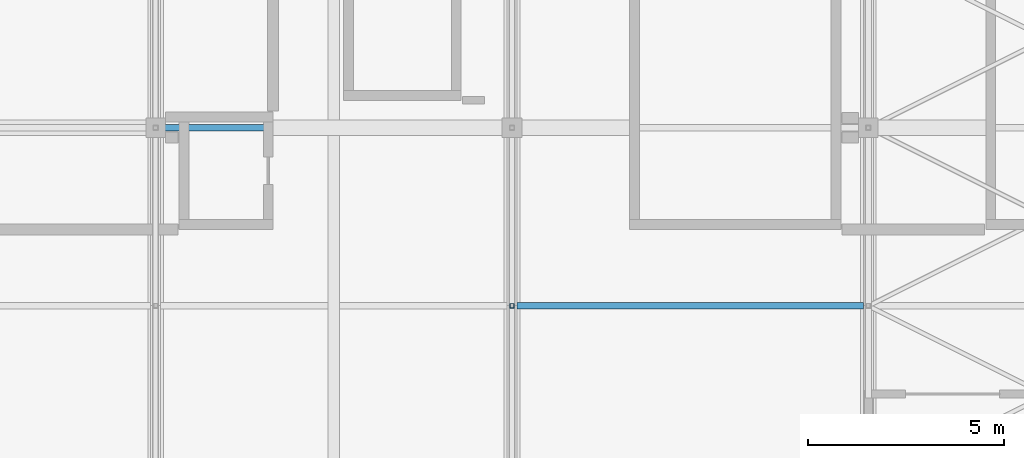
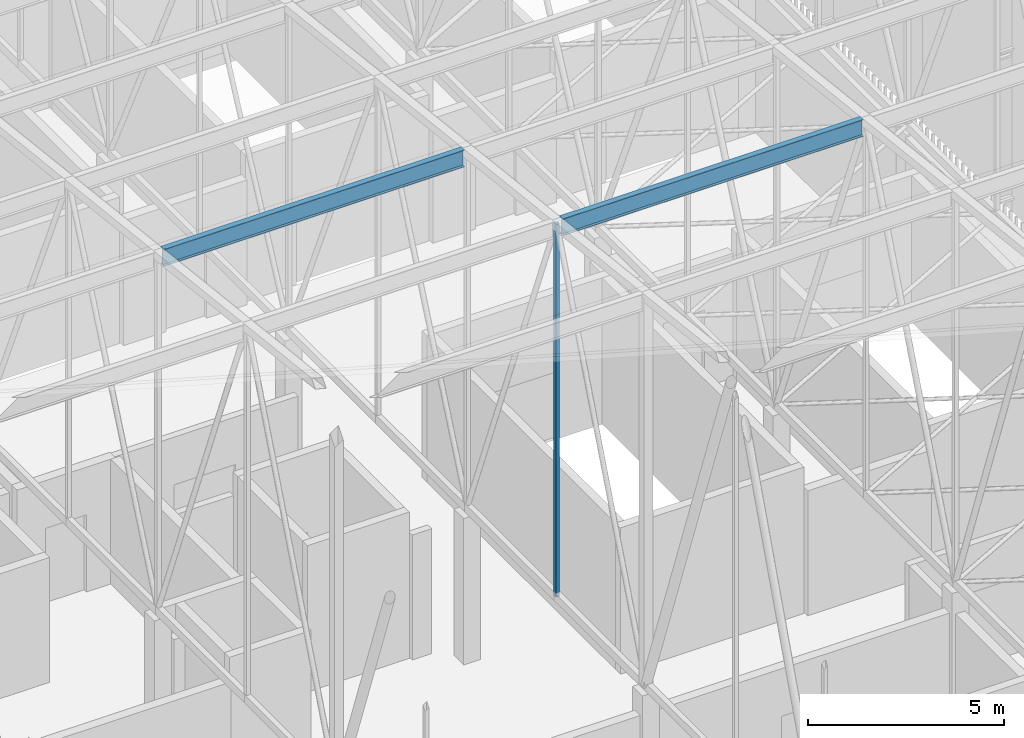
# One storey, part 380 of 500: 3 members.
"""IFC4 building model written with IfcOpenShell, lengths in metres."""

from ifc_helpers import new_model, si_unit, direction, frame, origin, origin_2d, place, context, subcontext, project, spatial, hollow_rectangle, i_section, extrude, material, material_profile, profile_set, type_object, element, save


model = new_model("IFC4")

# Units and contexts
model_context = context("Model", 3, precision=1e-05, world=origin(), true_north=direction((0.0, 1.0)))
body_context = subcontext(model_context, "Body", "Model", "MODEL_VIEW")
ifc_project = project(units=[si_unit("LENGTHUNIT", "METRE"), si_unit("AREAUNIT", "SQUARE_METRE"), si_unit("VOLUMEUNIT", "CUBIC_METRE"), si_unit("PLANEANGLEUNIT", "RADIAN"), si_unit("MASSUNIT", "GRAM", prefix="KILO")], contexts=[model_context])

# Site, building, storey
site_placement = place(None, origin())
site = spatial("IfcSite", under=ifc_project, at=site_placement, CompositionType="ELEMENT")
building_placement = place(site_placement, origin())
building = spatial("IfcBuilding", under=site, at=building_placement, Name="Shirokan Park Arena", CompositionType="ELEMENT")
storey_placement = place(building_placement, frame((0.0, 0.0, 29.1201171875)))
storey = spatial("IfcBuildingStorey", under=building, at=storey_placement, Name="L06", CompositionType="ELEMENT", Elevation=29.1201171875)

# Members
ifc_material_1 = material(Name="Steel ASTM A992", Category="steel")
ifc_material_profile_1 = material_profile(ifc_material_1, i_section(OverallWidth=0.166015625, OverallDepth=0.528076171875, WebThickness=0.009765625, FlangeThickness=0.013671875, at=origin_2d()), Name="W530X74")
ifc_profile_set_1 = profile_set([ifc_material_profile_1], Name="Steel ASTM A992")
member_type_1 = type_object("IfcMemberType", Name="Purlin W530X74", PredefinedType="PURLIN", material=ifc_profile_set_1)
for number, where, z_axis, x_axis, name in (
    (1, (127.527099609375, 77.35009765625, 16.1259765625), (1.0, 0.0, 0.0), (0.0, 1.0, 0.0), "Purlin 20 bay 15"),
    (2, (118.427001953125, 81.89990234375, 15.60595703125), (1.0, 0.0, 0.0), (0.0, 1.0, 0.0), "Purlin 21 bay 14"),
):
    element("IfcMember", number, at=place(storey_placement, frame(where, z_axis=z_axis, x_axis=x_axis)), inside=storey, type_object=member_type_1, Name=name, PredefinedType="PURLIN", context=body_context, shape_type="SweptSolid", body=[
        extrude(i_section(OverallWidth=0.166015625, OverallDepth=0.528076171875, WebThickness=0.009765625, FlangeThickness=0.013671875, at=origin_2d()), origin(), (0.0, 0.0, 1.0), 8.845947265625),
    ])
ifc_material_2 = material(Name="Steel ASTM A500 Grade C", Category="steel")
ifc_material_profile_2 = material_profile(ifc_material_2, hollow_rectangle(XDim=0.114013671875, YDim=0.114013671875, WallThickness=0.00634765625, at=origin_2d()), Name="HSS114.3X114.3X6.4")
ifc_profile_set_2 = profile_set([ifc_material_profile_2], Name="Steel ASTM A500 Grade C")
member_type_2 = type_object("IfcMemberType", Name="Truss post HSS114.3X114.3X6.4", PredefinedType="POST", material=ifc_profile_set_2)
member_placement = place(storey_placement, frame((127.39990234375, 77.35009765625, 4.677001953125), z_axis=(0.0, 0.0, 1.0), x_axis=(1.0, 0.0, 0.0)))
element("IfcMember", 3, at=member_placement, inside=storey, type_object=member_type_2, Name="Truss T15 post 20", PredefinedType="POST", context=body_context, shape_type="SweptSolid", body=[
    extrude(hollow_rectangle(XDim=0.114013671875, YDim=0.114013671875, WallThickness=0.00634765625, at=origin_2d()), origin(), (0.0, 0.0, 1.0), 11.5859375),
])

save(model, "model.ifc")
